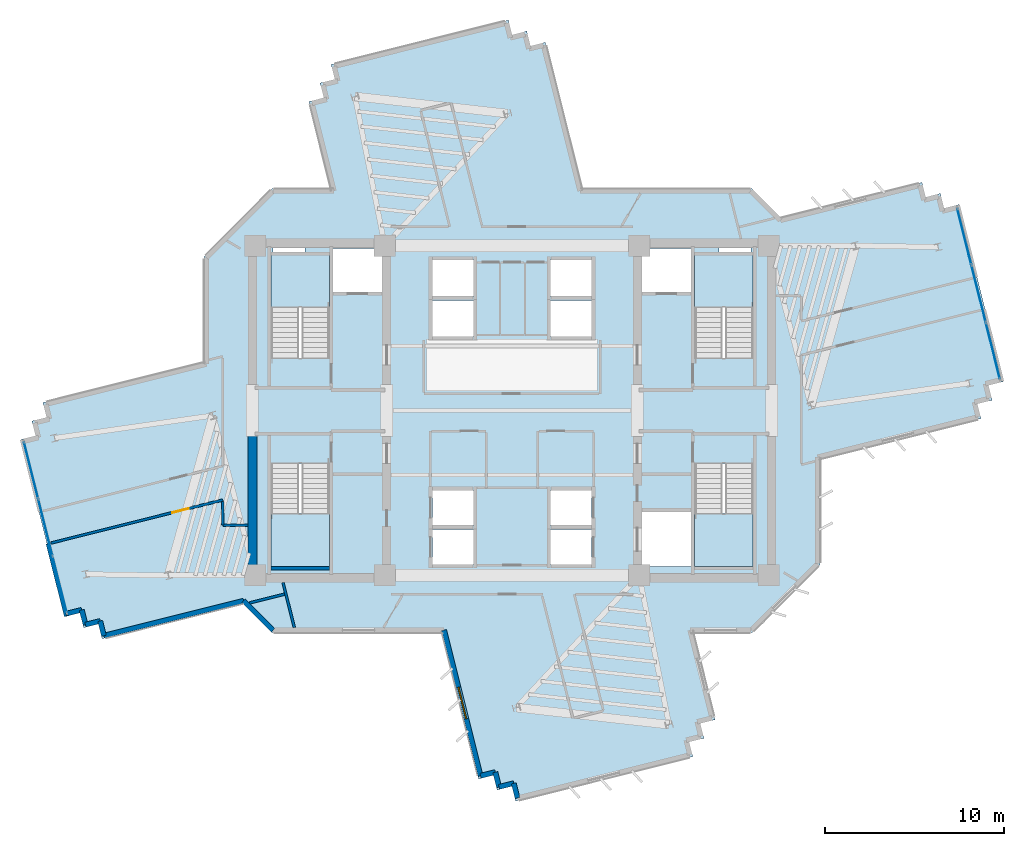
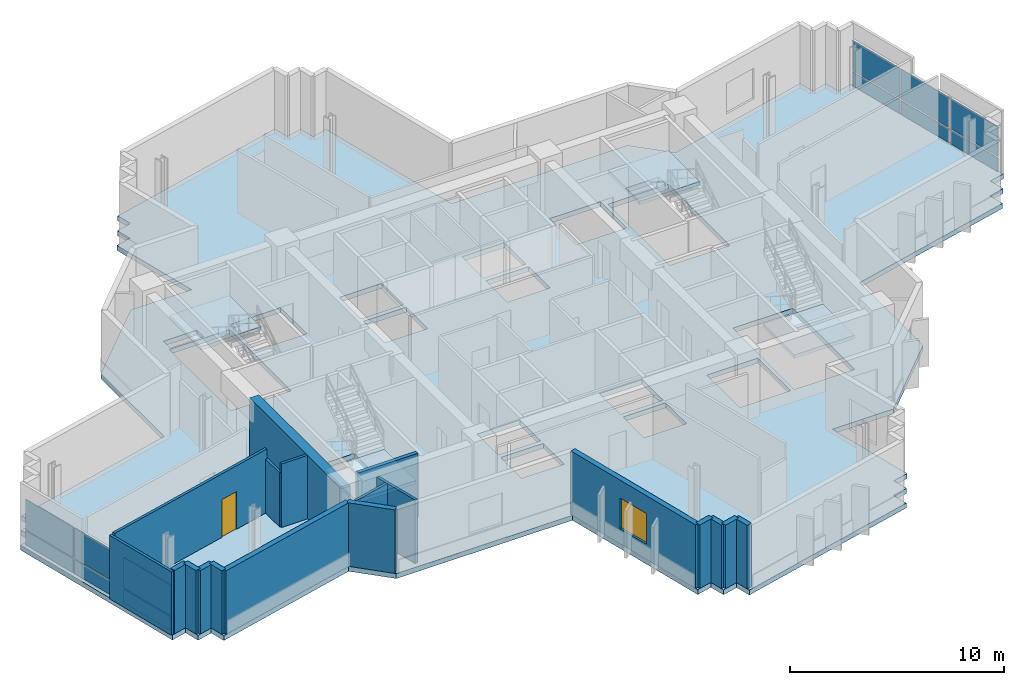
# One storey, part 5 of 13: 19 walls, 12 plates, 5 slabs, 1 door, 1 window, 2 openings, 6 elements without a shape of their own.
"""IFC4 building model written with IfcOpenShell, lengths in metres."""

from ifc_helpers import new_model, si_unit, direction, frame, frame_2d, origin, origin_2d, place, context, subcontext, project, spatial, polyline, rectangle, outline, extrude, source, transform, mapped, material, layer, layer_set, type_object, element, fill, aggregate, save


model = new_model("IFC4")

# Units and contexts
model_context = context("Model", 3, precision=1e-05, world=origin(), true_north=direction((0.0, 1.0)))
body_context = subcontext(model_context, "Body", "Model", "MODEL_VIEW")
ifc_project = project(units=[si_unit("LENGTHUNIT", "METRE"), si_unit("AREAUNIT", "SQUARE_METRE"), si_unit("VOLUMEUNIT", "CUBIC_METRE"), si_unit("PLANEANGLEUNIT", "RADIAN"), si_unit("MASSUNIT", "GRAM", prefix="KILO")], contexts=[model_context])

# Site, building, storey
site_placement = place(None, origin())
site = spatial("IfcSite", under=ifc_project, at=site_placement, CompositionType="ELEMENT")
building_placement = place(site_placement, origin())
building = spatial("IfcBuilding", under=site, at=building_placement, Name="Zahravan Cultural Tower", CompositionType="ELEMENT")
storey_placement = place(building_placement, frame((0.0, 0.0, 182.39990234375)))
storey = spatial("IfcBuildingStorey", under=building, at=storey_placement, Name="L42", CompositionType="ELEMENT", Elevation=182.39990234375)

# Slab
ifc_material_1 = material(Name="Concrete C45/55", Category="concrete")
ifc_layer_1 = layer(ifc_material_1, 0.280029296875)
ifc_layer_set_1 = layer_set([ifc_layer_1], Name="Concrete C45/55")
slab_type_1 = type_object("IfcSlabType", Name="SL-LIB-280", PredefinedType="FLOOR", material=ifc_layer_set_1)
slab_1_placement = place(storey_placement, frame((0.0, 0.0, -0.27978515625)))
element("IfcSlab", 1, at=slab_1_placement, inside=storey, type_object=slab_type_1, Name="L42 Structural Floor Slab", PredefinedType="FLOOR", context=body_context, shape_type="SweptSolid", body=[
    extrude(outline(polyline([(51.026611328125, 37.773193359375), (49.39990234375, 39.39990234375), (39.904541015625, 39.39990234375), (37.85888671875, 47.56787109375), (37.034423828125, 47.361328125), (36.827880859375, 48.185791015625), (36.00341796875, 47.979248046875), (35.796875, 48.803955078125), (25.902587890625, 46.325927734375), (26.10888671875, 45.50146484375), (25.284423828125, 45.294921875), (25.490966796875, 44.47021484375), (24.66650390625, 44.263916015625), (25.884521484375, 39.39990234375), (22.60009765625, 39.39990234375), (18.800048828125, 35.60009765625), (18.800048828125, 29.702392578125), (9.805908203125, 27.449951171875), (10.012451171875, 26.62548828125), (9.18798828125, 26.4189453125), (9.394287109375, 25.594482421875), (8.56982421875, 25.387939453125), (11.0478515625, 15.493408203125), (11.872314453125, 15.699951171875), (12.078857421875, 14.87548828125), (12.9033203125, 15.081787109375), (13.10986328125, 14.25732421875), (20.973388671875, 16.226806640625), (22.60009765625, 14.60009765625), (32.095458984375, 14.60009765625), (34.14111328125, 6.43212890625), (34.965576171875, 6.638671875), (35.172119140625, 5.814208984375), (35.99658203125, 6.020751953125), (36.203125, 5.196044921875), (46.097412109375, 7.674072265625), (45.89111328125, 8.49853515625), (46.715576171875, 8.705078125), (46.509033203125, 9.52978515625), (47.33349609375, 9.736083984375), (46.115478515625, 14.60009765625), (49.39990234375, 14.60009765625), (53.199951171875, 18.39990234375), (53.199951171875, 24.297607421875), (62.194091796875, 26.550048828125), (61.987548828125, 27.37451171875), (62.81201171875, 27.5810546875), (62.605712890625, 28.405517578125), (63.43017578125, 28.612060546875), (60.9521484375, 38.506591796875), (60.127685546875, 38.300048828125), (59.921142578125, 39.12451171875), (59.0966796875, 38.918212890625), (58.89013671875, 39.74267578125), (51.026611328125, 37.773193359375)]), holes=[polyline([(22.550048828125, 29.949951171875), (22.550048828125, 35.699951171875), (25.800048828125, 35.699951171875), (25.800048828125, 29.949951171875), (22.550048828125, 29.949951171875)]), polyline([(22.550048828125, 18.300048828125), (22.550048828125, 24.050048828125), (25.800048828125, 24.050048828125), (25.800048828125, 18.300048828125), (22.550048828125, 18.300048828125)]), polyline([(46.199951171875, 29.949951171875), (46.199951171875, 35.699951171875), (49.449951171875, 35.699951171875), (49.449951171875, 29.949951171875), (46.199951171875, 29.949951171875)]), polyline([(46.199951171875, 18.300048828125), (46.199951171875, 24.050048828125), (49.449951171875, 24.050048828125), (49.449951171875, 18.300048828125), (46.199951171875, 18.300048828125)]), polyline([(26.0, 33.60009765625), (26.0, 36.050048828125), (28.75, 36.050048828125), (28.75, 33.60009765625), (26.0, 33.60009765625)]), polyline([(43.25, 33.60009765625), (43.25, 36.050048828125), (46.0, 36.050048828125), (46.0, 33.60009765625), (43.25, 33.60009765625)]), polyline([(43.25, 18.300048828125), (43.25, 21.35009765625), (46.0, 21.35009765625), (46.0, 18.300048828125), (43.25, 18.300048828125)]), polyline([(31.550048828125, 33.39990234375), (31.550048828125, 35.39990234375), (33.85009765625, 35.39990234375), (33.85009765625, 33.39990234375), (31.550048828125, 33.39990234375)]), polyline([(31.550048828125, 31.14990234375), (31.550048828125, 33.14990234375), (33.85009765625, 33.14990234375), (33.85009765625, 31.14990234375), (31.550048828125, 31.14990234375)]), polyline([(38.14990234375, 33.39990234375), (38.14990234375, 35.39990234375), (40.449951171875, 35.39990234375), (40.449951171875, 33.39990234375), (38.14990234375, 33.39990234375)]), polyline([(38.14990234375, 31.14990234375), (38.14990234375, 33.14990234375), (40.449951171875, 33.14990234375), (40.449951171875, 31.14990234375), (38.14990234375, 31.14990234375)]), polyline([(31.550048828125, 20.60009765625), (31.550048828125, 22.550048828125), (33.85009765625, 22.550048828125), (33.85009765625, 20.60009765625), (31.550048828125, 20.60009765625)]), polyline([(31.550048828125, 18.39990234375), (31.550048828125, 20.35009765625), (33.85009765625, 20.35009765625), (33.85009765625, 18.39990234375), (31.550048828125, 18.39990234375)]), polyline([(38.14990234375, 20.60009765625), (38.14990234375, 22.550048828125), (40.449951171875, 22.550048828125), (40.449951171875, 20.60009765625), (38.14990234375, 20.60009765625)]), polyline([(38.14990234375, 18.39990234375), (38.14990234375, 20.35009765625), (40.449951171875, 20.35009765625), (40.449951171875, 18.39990234375), (38.14990234375, 18.39990234375)]), polyline([(22.64990234375, 35.800048828125), (22.64990234375, 36.419921875), (24.449951171875, 36.419921875), (24.449951171875, 35.800048828125), (22.64990234375, 35.800048828125)]), polyline([(47.550048828125, 35.800048828125), (47.550048828125, 36.419921875), (49.35009765625, 36.419921875), (49.35009765625, 35.800048828125), (47.550048828125, 35.800048828125)])]), origin(), (0.0, 0.0, 1.0), 0.27978515625),
])

# Stair, slab
stair_type = type_object("IfcStairType", Name="STR-DL-1550-390", PredefinedType="HALF_TURN_STAIR", material=ifc_material_1)
stair_1_placement = place(storey_placement, origin())
stair_1 = element("IfcStair", 2, at=stair_1_placement, inside=storey, type_object=stair_type, Name="L42 West Core North Exit Stair ST-W1", PredefinedType="HALF_TURN_STAIR")
ifc_layer_2 = layer(ifc_material_1, 0.199951171875)
ifc_layer_set_2 = layer_set([ifc_layer_2], Name="Concrete C45/55")
slab_type_2 = type_object("IfcSlabType", Name="SL-STAIR-LND200", PredefinedType="LANDING", material=ifc_layer_set_2)
slab_2_placement = place(storey_placement, frame((0.0, 0.0, 1.75)))
slab_2 = element("IfcSlab", 3, at=slab_2_placement, type_object=slab_type_2, Name="ST-W1 landing 1", PredefinedType="LANDING", context=body_context, shape_type="SweptSolid", body=[
    extrude(outline(polyline([(25.800048828125, 32.75), (25.800048828125, 35.699951171875), (22.550048828125, 35.699951171875), (22.550048828125, 32.75), (25.800048828125, 32.75)])), origin(), (0.0, 0.0, 1.0), 0.2001953125),
])
aggregate(stair_1, [slab_2])

stair_2_placement = place(storey_placement, origin())
stair_2 = element("IfcStair", 4, at=stair_2_placement, inside=storey, type_object=stair_type, Name="L42 West Core South Exit Stair ST-W2", PredefinedType="HALF_TURN_STAIR")
slab_3_placement = place(storey_placement, frame((0.0, 0.0, 1.75)))
slab_3 = element("IfcSlab", 5, at=slab_3_placement, type_object=slab_type_2, Name="ST-W2 landing 1", PredefinedType="LANDING", context=body_context, shape_type="SweptSolid", body=[
    extrude(outline(polyline([(22.550048828125, 21.25), (22.550048828125, 18.300048828125), (25.800048828125, 18.300048828125), (25.800048828125, 21.25), (22.550048828125, 21.25)])), origin(), (0.0, 0.0, 1.0), 0.2001953125),
])
aggregate(stair_2, [slab_3])

stair_3_placement = place(storey_placement, origin())
stair_3 = element("IfcStair", 6, at=stair_3_placement, inside=storey, type_object=stair_type, Name="L42 East Core North Exit Stair ST-E1", PredefinedType="HALF_TURN_STAIR")
slab_4_placement = place(storey_placement, frame((0.0, 0.0, 1.75)))
slab_4 = element("IfcSlab", 7, at=slab_4_placement, type_object=slab_type_2, Name="ST-E1 landing 1", PredefinedType="LANDING", context=body_context, shape_type="SweptSolid", body=[
    extrude(outline(polyline([(49.449951171875, 32.75), (49.449951171875, 35.699951171875), (46.199951171875, 35.699951171875), (46.199951171875, 32.75), (49.449951171875, 32.75)])), origin(), (0.0, 0.0, 1.0), 0.2001953125),
])
aggregate(stair_3, [slab_4])

stair_4_placement = place(storey_placement, origin())
stair_4 = element("IfcStair", 8, at=stair_4_placement, inside=storey, type_object=stair_type, Name="L42 East Core South Exit Stair ST-E2", PredefinedType="HALF_TURN_STAIR")
slab_5_placement = place(storey_placement, frame((0.0, 0.0, 1.75)))
slab_5 = element("IfcSlab", 9, at=slab_5_placement, type_object=slab_type_2, Name="ST-E2 landing 1", PredefinedType="LANDING", context=body_context, shape_type="SweptSolid", body=[
    extrude(outline(polyline([(46.199951171875, 21.25), (46.199951171875, 18.300048828125), (49.449951171875, 18.300048828125), (49.449951171875, 21.25), (46.199951171875, 21.25)])), origin(), (0.0, 0.0, 1.0), 0.2001953125),
])
aggregate(stair_4, [slab_5])

# Curtain wall, plates
ifc_material_2 = material(Name="Anodised bronze-aluminium mullion", Category="aluminium")
ifc_layer_3 = layer(ifc_material_2, 0.199951171875)
ifc_layer_set_3 = layer_set([ifc_layer_3], Name="Anodised bronze-aluminium mullion")
curtain_wall_type_1 = type_object("IfcCurtainWallType", Name="CW-SYS-2", PredefinedType="USERDEFINED", material=ifc_layer_set_3)
curtain_wall_1_placement = place(storey_placement, origin())
curtain_wall_1 = element("IfcCurtainWall", 10, at=curtain_wall_1_placement, inside=storey, type_object=curtain_wall_type_1, Name="L42 Recessed Curtain Wall CW-2.1", ObjectType="RECESSED GLAZING", PredefinedType="USERDEFINED")
ifc_material_3 = material(Name="Low-E solar-control double glazing", Category="glass")
ifc_layer_4 = layer(ifc_material_3, 0.030029296875)
ifc_layer_set_4 = layer_set([ifc_layer_4], Name="Low-E solar-control double glazing")
plate_type_1 = type_object("IfcPlateType", Name="CWP-CW-2", PredefinedType="CURTAIN_PANEL", material=ifc_layer_set_4)
shared_shape_1 = source(origin(), body_context, "Body", "SweptSolid", [
    extrude(rectangle(XDim=3.194091796875, YDim=0.030029296875, at=origin_2d()), origin(), (0.0, 0.0, 1.0), 0.78759765625),
])
plate_1_placement = place(storey_placement, frame((61.256591796875, 36.714599609375, 0.074951171875), z_axis=(0.0, 0.0, 1.0), x_axis=(0.242943573269, -0.970040421945, 0.0)))
plate_1 = element("IfcPlate", 11, at=plate_1_placement, type_object=plate_type_1, Name="CW-2 panel 1.1", PredefinedType="CURTAIN_PANEL", context=body_context, shape_type="MappedRepresentation", body=[
    mapped(shared_shape_1, transform((0.0, 0.0, 0.0), x_axis=(1.0, 0.0, 0.0), y_axis=(0.0, 1.0, 0.0), z_axis=(0.0, 0.0, 1.0), scale=1.0)),
])
plate_2_placement = place(storey_placement, frame((62.85400390625, 30.3359375, 0.074951171875), z_axis=(0.0, 0.0, 1.0), x_axis=(0.242943573269, -0.970040421945, 0.0)))
plate_2 = element("IfcPlate", 12, at=plate_2_placement, type_object=plate_type_1, Name="CW-2 panel 3.1", PredefinedType="CURTAIN_PANEL", context=body_context, shape_type="MappedRepresentation", body=[
    mapped(shared_shape_1, transform((0.0, 0.0, 0.0), x_axis=(1.0, 0.0, 0.0), y_axis=(0.0, 1.0, 0.0), z_axis=(0.0, 0.0, 1.0), scale=1.0)),
])
shared_shape_2 = source(origin(), body_context, "Body", "SweptSolid", [
    extrude(rectangle(XDim=3.231689453125, YDim=0.030029296875, at=origin_2d()), origin(), (0.0, 0.0, 1.0), 0.78759765625),
])
plate_3_placement = place(storey_placement, frame((62.055419921875, 33.525390625, 0.074951171875), z_axis=(0.0, 0.0, 1.0), x_axis=(0.242943573269, -0.970040421945, 0.0)))
plate_3 = element("IfcPlate", 13, at=plate_3_placement, type_object=plate_type_1, Name="CW-2 panel 2.1", PredefinedType="CURTAIN_PANEL", context=body_context, shape_type="MappedRepresentation", body=[
    mapped(shared_shape_2, transform((0.0, 0.0, 0.0), x_axis=(1.0, 0.0, 0.0), y_axis=(0.0, 1.0, 0.0), z_axis=(0.0, 0.0, 1.0), scale=1.0)),
])
shared_shape_3 = source(origin(), body_context, "Body", "SweptSolid", [
    extrude(rectangle(XDim=3.194091796875, YDim=0.030029296875, at=origin_2d()), origin(), (0.0, 0.0, 1.0), 1.7275390625),
])
plate_4_placement = place(storey_placement, frame((61.256591796875, 36.714599609375, 0.9375), z_axis=(0.0, 0.0, 1.0), x_axis=(0.242943573269, -0.970040421945, 0.0)))
plate_4 = element("IfcPlate", 14, at=plate_4_placement, type_object=plate_type_1, Name="CW-2 panel 1.2", PredefinedType="CURTAIN_PANEL", context=body_context, shape_type="MappedRepresentation", body=[
    mapped(shared_shape_3, transform((0.0, 0.0, 0.0), x_axis=(1.0, 0.0, 0.0), y_axis=(0.0, 1.0, 0.0), z_axis=(0.0, 0.0, 1.0), scale=1.0)),
])
plate_5_placement = place(storey_placement, frame((62.85400390625, 30.3359375, 0.9375), z_axis=(0.0, 0.0, 1.0), x_axis=(0.242943573269, -0.970040421945, 0.0)))
plate_5 = element("IfcPlate", 15, at=plate_5_placement, type_object=plate_type_1, Name="CW-2 panel 3.2", PredefinedType="CURTAIN_PANEL", context=body_context, shape_type="MappedRepresentation", body=[
    mapped(shared_shape_3, transform((0.0, 0.0, 0.0), x_axis=(1.0, 0.0, 0.0), y_axis=(0.0, 1.0, 0.0), z_axis=(0.0, 0.0, 1.0), scale=1.0)),
])
shared_shape_4 = source(origin(), body_context, "Body", "SweptSolid", [
    extrude(rectangle(XDim=3.231689453125, YDim=0.030029296875, at=origin_2d()), origin(), (0.0, 0.0, 1.0), 1.7275390625),
])
plate_6_placement = place(storey_placement, frame((62.055419921875, 33.525390625, 0.9375), z_axis=(0.0, 0.0, 1.0), x_axis=(0.242943573269, -0.970040421945, 0.0)))
plate_6 = element("IfcPlate", 16, at=plate_6_placement, type_object=plate_type_1, Name="CW-2 panel 2.2", PredefinedType="CURTAIN_PANEL", context=body_context, shape_type="MappedRepresentation", body=[
    mapped(shared_shape_4, transform((0.0, 0.0, 0.0), x_axis=(1.0, 0.0, 0.0), y_axis=(0.0, 1.0, 0.0), z_axis=(0.0, 0.0, 1.0), scale=1.0)),
])
aggregate(curtain_wall_1, [plate_1, plate_4, plate_3, plate_6, plate_2, plate_5])

ifc_layer_5 = layer(ifc_material_2, 0.179931640625)
ifc_layer_set_5 = layer_set([ifc_layer_5], Name="Anodised bronze-aluminium mullion")
curtain_wall_type_2 = type_object("IfcCurtainWallType", Name="CW-SYS-3", PredefinedType="USERDEFINED", material=ifc_layer_set_5)
curtain_wall_2_placement = place(storey_placement, origin())
curtain_wall_2 = element("IfcCurtainWall", 17, at=curtain_wall_2_placement, inside=storey, type_object=curtain_wall_type_2, Name="L42 Recessed Curtain Wall CW-3.2", ObjectType="RECESSED GLAZING", PredefinedType="USERDEFINED")
ifc_layer_6 = layer(ifc_material_3, 0.028076171875)
ifc_layer_set_6 = layer_set([ifc_layer_6], Name="Low-E solar-control double glazing")
plate_type_2 = type_object("IfcPlateType", Name="CWP-CW-3", PredefinedType="CURTAIN_PANEL", material=ifc_layer_set_6)
shared_shape_5 = source(origin(), body_context, "Body", "SweptSolid", [
    extrude(rectangle(XDim=3.20166015625, YDim=0.028076171875, at=origin_2d()), origin(), (0.0, 0.0, 1.0), 0.794921875),
])
plate_7_placement = place(storey_placement, frame((10.743896484375, 17.2841796875, 0.070068359375), z_axis=(0.0, 0.0, 1.0), x_axis=(-0.242943573269, 0.970040421945, 0.0)))
plate_7 = element("IfcPlate", 18, at=plate_7_placement, type_object=plate_type_2, Name="CW-3 panel 1.1", PredefinedType="CURTAIN_PANEL", context=body_context, shape_type="MappedRepresentation", body=[
    mapped(shared_shape_5, transform((0.0, 0.0, 0.0), x_axis=(1.0, 0.0, 0.0), y_axis=(0.0, 1.0, 0.0), z_axis=(0.0, 0.0, 1.0), scale=1.0)),
])
plate_8_placement = place(storey_placement, frame((9.1455078125, 23.665283203125, 0.070068359375), z_axis=(0.0, 0.0, 1.0), x_axis=(-0.242943573269, 0.970040421945, 0.0)))
plate_8 = element("IfcPlate", 19, at=plate_8_placement, type_object=plate_type_2, Name="CW-3 panel 3.1", PredefinedType="CURTAIN_PANEL", context=body_context, shape_type="MappedRepresentation", body=[
    mapped(shared_shape_5, transform((0.0, 0.0, 0.0), x_axis=(1.0, 0.0, 0.0), y_axis=(0.0, 1.0, 0.0), z_axis=(0.0, 0.0, 1.0), scale=1.0)),
])
shared_shape_6 = source(origin(), body_context, "Body", "SweptSolid", [
    extrude(rectangle(XDim=3.20166015625, YDim=0.028076171875, at=origin_2d()), origin(), (0.0, 0.0, 1.0), 1.735107421875),
])
plate_9_placement = place(storey_placement, frame((10.743896484375, 17.2841796875, 0.93505859375), z_axis=(0.0, 0.0, 1.0), x_axis=(-0.242943573269, 0.970040421945, 0.0)))
plate_9 = element("IfcPlate", 20, at=plate_9_placement, type_object=plate_type_2, Name="CW-3 panel 1.2", PredefinedType="CURTAIN_PANEL", context=body_context, shape_type="MappedRepresentation", body=[
    mapped(shared_shape_6, transform((0.0, 0.0, 0.0), x_axis=(1.0, 0.0, 0.0), y_axis=(0.0, 1.0, 0.0), z_axis=(0.0, 0.0, 1.0), scale=1.0)),
])
plate_10_placement = place(storey_placement, frame((9.1455078125, 23.665283203125, 0.93505859375), z_axis=(0.0, 0.0, 1.0), x_axis=(-0.242943573269, 0.970040421945, 0.0)))
plate_10 = element("IfcPlate", 21, at=plate_10_placement, type_object=plate_type_2, Name="CW-3 panel 3.2", PredefinedType="CURTAIN_PANEL", context=body_context, shape_type="MappedRepresentation", body=[
    mapped(shared_shape_6, transform((0.0, 0.0, 0.0), x_axis=(1.0, 0.0, 0.0), y_axis=(0.0, 1.0, 0.0), z_axis=(0.0, 0.0, 1.0), scale=1.0)),
])
shared_shape_7 = source(origin(), body_context, "Body", "SweptSolid", [
    extrude(rectangle(XDim=3.236572265625, YDim=0.028076171875, at=origin_2d()), origin(), (0.0, 0.0, 1.0), 0.794921875),
])
plate_11_placement = place(storey_placement, frame((9.944580078125, 20.474609375, 0.070068359375), z_axis=(0.0, 0.0, 1.0), x_axis=(-0.242943573269, 0.970040421945, 0.0)))
plate_11 = element("IfcPlate", 22, at=plate_11_placement, type_object=plate_type_2, Name="CW-3 panel 2.1", PredefinedType="CURTAIN_PANEL", context=body_context, shape_type="MappedRepresentation", body=[
    mapped(shared_shape_7, transform((0.0, 0.0, 0.0), x_axis=(1.0, 0.0, 0.0), y_axis=(0.0, 1.0, 0.0), z_axis=(0.0, 0.0, 1.0), scale=1.0)),
])
shared_shape_8 = source(origin(), body_context, "Body", "SweptSolid", [
    extrude(rectangle(XDim=3.236572265625, YDim=0.028076171875, at=origin_2d()), origin(), (0.0, 0.0, 1.0), 1.735107421875),
])
plate_12_placement = place(storey_placement, frame((9.944580078125, 20.474609375, 0.93505859375), z_axis=(0.0, 0.0, 1.0), x_axis=(-0.242943573269, 0.970040421945, 0.0)))
plate_12 = element("IfcPlate", 23, at=plate_12_placement, type_object=plate_type_2, Name="CW-3 panel 2.2", PredefinedType="CURTAIN_PANEL", context=body_context, shape_type="MappedRepresentation", body=[
    mapped(shared_shape_8, transform((0.0, 0.0, 0.0), x_axis=(1.0, 0.0, 0.0), y_axis=(0.0, 1.0, 0.0), z_axis=(0.0, 0.0, 1.0), scale=1.0)),
])
aggregate(curtain_wall_2, [plate_7, plate_9, plate_11, plate_12, plate_8, plate_10])

# Wall, opening, window
ifc_material_4 = material(Name="Precast concrete C40/50", Category="concrete")
ifc_layer_7 = layer(ifc_material_4, 0.280029296875)
ifc_layer_set_7 = layer_set([ifc_layer_7], Name="Precast concrete C40/50")
wall_type_1 = type_object("IfcWallType", Name="EW-TC-280", PredefinedType="SOLIDWALL", material=ifc_layer_set_7)
wall_1_placement = place(storey_placement, frame((34.242919921875, 6.60205078125, 0.0), z_axis=(0.0, 0.0, 1.0), x_axis=(-0.242939601766, 0.970041416587, 0.0)))
wall_1 = element("IfcWall", 24, at=wall_1_placement, inside=storey, type_object=wall_type_1, Name="L42 Exterior Masonry Frame Wall 24", PredefinedType="SOLIDWALL", context=body_context, shape_type="SweptSolid", body=[
    extrude(rectangle(XDim=8.38916015625, YDim=0.280029296875, at=frame_2d((4.194580078125, 0.0))), origin(), (0.0, 0.0, 1.0), 3.6201171875),
])
opening_1_placement = place(wall_1_placement, frame((3.294921875, 0.0, 0.85009765625)))
opening_1 = element("IfcOpeningElement", 25, at=opening_1_placement, cuts=wall_1, Name="Opening WN-02", PredefinedType="OPENING", context=body_context, shape_type="SweptSolid", body=[
    extrude(rectangle(XDim=1.800048828125, YDim=1.75, at=frame_2d((0.89990234375, 0.875))), frame((0.0, 0.14990234375, 0.0), z_axis=(0.0, -1.0, 0.0), x_axis=(1.0, 0.0, 0.0)), (0.0, 0.0, 1.0), 0.300048828125),
])
window_type = type_object("IfcWindowType", Name="WN-REC-1800X1750", PartitioningType="DOUBLE_PANEL_VERTICAL", PredefinedType="WINDOW", material=ifc_material_3)
shared_shape_9 = source(origin(), body_context, "Body", "SweptSolid", [
    extrude(rectangle(XDim=1.800048828125, YDim=1.75, at=frame_2d((0.89990234375, 0.875))), frame((0.0, 0.030029296875, 0.0), z_axis=(0.0, -1.0, 0.0), x_axis=(1.0, 0.0, 0.0)), (0.0, 0.0, 1.0), 0.06005859375),
])
window_placement = place(opening_1_placement, origin())
window = element("IfcWindow", 26, at=window_placement, inside=storey, type_object=window_type, Name="L42 Recessed Solar Window 07", OverallHeight=1.75, OverallWidth=1.800048828125, PartitioningType="DOUBLE_PANEL_VERTICAL", PredefinedType="WINDOW", context=body_context, shape_type="MappedRepresentation", body=[
    mapped(shared_shape_9, transform((0.0, 0.0, 0.0), x_axis=(1.0, 0.0, 0.0), y_axis=(0.0, 1.0, 0.0), z_axis=(0.0, 0.0, 1.0), scale=1.0)),
])
fill(opening_1, window)

# Wall, opening, door
ifc_material_5 = material(Name="Gypsum plasterboard partition")
ifc_layer_8 = layer(ifc_material_5, 0.139892578125)
ifc_layer_set_8 = layer_set([ifc_layer_8], Name="Gypsum plasterboard partition")
wall_type_2 = type_object("IfcWallType", Name="W-PART-140", PredefinedType="PARTITIONING", material=ifc_layer_set_8)
wall_2_placement = place(storey_placement, frame((10.260498046875, 19.60546875, 0.0), z_axis=(0.0, 0.0, 1.0), x_axis=(0.970042179759, 0.242936554451, 0.0)))
wall_2 = element("IfcWall", 27, at=wall_2_placement, inside=storey, type_object=wall_type_2, Name="L42 Interior Wall 087", PredefinedType="PARTITIONING", context=body_context, shape_type="SweptSolid", body=[
    extrude(rectangle(XDim=9.8857421875, YDim=0.139892578125, at=frame_2d((4.94287109375, 0.0))), origin(), (0.0, 0.0, 1.0), 3.6201171875),
])
opening_2_placement = place(wall_2_placement, frame((6.969970703125, 0.0, 0.0)))
opening_2 = element("IfcOpeningElement", 28, at=opening_2_placement, cuts=wall_2, Name="Opening D-L42-22", PredefinedType="OPENING", context=body_context, shape_type="SweptSolid", body=[
    extrude(rectangle(XDim=0.949951171875, YDim=2.14990234375, at=frame_2d((0.47509765625, 1.074951171875))), frame((0.0, 0.079833984375, 0.0), z_axis=(0.0, -1.0, 0.0), x_axis=(1.0, 0.0, 0.0)), (0.0, 0.0, 1.0), 0.159912109375),
])
door_type = type_object("IfcDoorType", Name="DR-ROOM-950", OperationType="NOTDEFINED", PredefinedType="DOOR", material=ifc_material_2)
shared_shape_10 = source(origin(), body_context, "Body", "SweptSolid", [
    extrude(rectangle(XDim=0.949951171875, YDim=2.14990234375, at=frame_2d((0.47509765625, 1.074951171875))), frame((0.0, 0.02490234375, 0.0), z_axis=(0.0, -1.0, 0.0), x_axis=(1.0, 0.0, 0.0)), (0.0, 0.0, 1.0), 0.050048828125),
])
door_placement = place(opening_2_placement, origin())
door = element("IfcDoor", 29, at=door_placement, inside=storey, type_object=door_type, Name="L42 Door D-L42-22", OperationType="SINGLE_SWING_LEFT", OverallHeight=2.14990234375, OverallWidth=0.949951171875, PredefinedType="DOOR", context=body_context, shape_type="MappedRepresentation", body=[
    mapped(shared_shape_10, transform((0.0, 0.0, 0.0), x_axis=(1.0, 0.0, 0.0), y_axis=(0.0, 1.0, 0.0), z_axis=(0.0, 0.0, 1.0), scale=1.0)),
])
fill(opening_2, door)

# Walls
ifc_material_6 = material(Name="Concrete C60/75", Category="concrete")
ifc_layer_9 = layer(ifc_material_6, 0.5)
ifc_layer_set_9 = layer_set([ifc_layer_9], Name="Concrete C60/75")
wall_type_3 = type_object("IfcWallType", Name="CW-SHEAR-500-C60", PredefinedType="SHEAR", material=ifc_layer_set_9)
shared_shape_11 = source(origin(), body_context, "Body", "SweptSolid", [
    extrude(rectangle(XDim=8.550048828125, YDim=0.5, at=frame_2d((4.27490234375, 0.0))), origin(), (0.0, 0.0, 1.0), 3.6201171875),
])
wall_3_placement = place(storey_placement, frame((21.5, 17.39990234375, 0.0), z_axis=(0.0, 0.0, 1.0), x_axis=(0.0, 1.0, 0.0)))
element("IfcWall", 30, at=wall_3_placement, inside=storey, type_object=wall_type_3, Name="L42 Core Shear Wall CW-W-WS-L42", PredefinedType="SHEAR", context=body_context, shape_type="MappedRepresentation", body=[
    mapped(shared_shape_11, transform((0.0, 0.0, 0.0), x_axis=(1.0, 0.0, 0.0), y_axis=(0.0, 1.0, 0.0), z_axis=(0.0, 0.0, 1.0), scale=1.0)),
])
shared_shape_12 = source(origin(), body_context, "Body", "SweptSolid", [
    extrude(rectangle(XDim=0.85009765625, YDim=0.280029296875, at=frame_2d((0.425048828125, 0.0))), origin(), (0.0, 0.0, 1.0), 3.6201171875),
])
for number, where, z_axis, x_axis, name in (
    (31, (36.098388671875, 6.1904296875, 0.0), (0.0, 0.0, 1.0), (-0.970041063326, -0.242941012307, 0.0), "L42 Exterior Masonry Frame Wall 21"),
    (32, (35.273681640625, 5.98388671875, 0.0), (0.0, 0.0, 1.0), (-0.242670768255, 0.970108704339, 0.0), "L42 Exterior Masonry Frame Wall 22"),
    (33, (12.1806640625, 15.045166015625, 0.0), (0.0, 0.0, 1.0), (-0.242941012307, 0.970041063326, 0.0), "L42 Exterior Masonry Frame Wall 30"),
):
    element("IfcWall", number, at=place(storey_placement, frame(where, z_axis=z_axis, x_axis=x_axis)), inside=storey, type_object=wall_type_1, Name=name, PredefinedType="SOLIDWALL", context=body_context, shape_type="MappedRepresentation", body=[
        mapped(shared_shape_12, transform((0.0, 0.0, 0.0), x_axis=(1.0, 0.0, 0.0), y_axis=(0.0, 1.0, 0.0), z_axis=(0.0, 0.0, 1.0), scale=1.0)),
    ])
shared_shape_13 = source(origin(), body_context, "Body", "SweptSolid", [
    extrude(rectangle(XDim=0.849853515625, YDim=0.280029296875, at=frame_2d((0.4248046875, 0.0))), origin(), (0.0, 0.0, 1.0), 3.6201171875),
])
for number, where, z_axis, x_axis, name in (
    (34, (36.304931640625, 5.365966796875, 0.0), (0.0, 0.0, 1.0), (-0.243008704507, 0.970024107708, 0.0), "L42 Exterior Masonry Frame Wall 20"),
    (35, (35.0673828125, 6.80859375, 0.0), (0.0, 0.0, 1.0), (-0.970024107708, -0.243008704507, 0.0), "L42 Exterior Masonry Frame Wall 23"),
    (36, (13.211669921875, 14.42724609375, 0.0), (0.0, 0.0, 1.0), (-0.243008704507, 0.970024107708, 0.0), "L42 Exterior Masonry Frame Wall 28"),
    (37, (13.005126953125, 15.251708984375, 0.0), (0.0, 0.0, 1.0), (-0.970024107708, -0.243008704507, 0.0), "L42 Exterior Masonry Frame Wall 29"),
    (38, (11.97412109375, 15.869873046875, 0.0), (0.0, 0.0, 1.0), (-0.970024107708, -0.243008704507, 0.0), "L42 Exterior Masonry Frame Wall 31"),
):
    element("IfcWall", number, at=place(storey_placement, frame(where, z_axis=z_axis, x_axis=x_axis)), inside=storey, type_object=wall_type_1, Name=name, PredefinedType="SOLIDWALL", context=body_context, shape_type="MappedRepresentation", body=[
        mapped(shared_shape_13, transform((0.0, 0.0, 0.0), x_axis=(1.0, 0.0, 0.0), y_axis=(0.0, 1.0, 0.0), z_axis=(0.0, 0.0, 1.0), scale=1.0)),
    ])
shared_shape_14 = source(origin(), body_context, "Body", "SweptSolid", [
    extrude(rectangle(XDim=2.322021484375, YDim=0.280029296875, at=frame_2d((1.1611328125, 0.0))), origin(), (0.0, 0.0, 1.0), 3.6201171875),
])
wall_4_placement = place(storey_placement, frame((22.657958984375, 14.739990234375, 0.0), z_axis=(0.0, 0.0, 1.0), x_axis=(-0.707106781187, 0.707106781187, 0.0)))
element("IfcWall", 39, at=wall_4_placement, inside=storey, type_object=wall_type_1, Name="L42 Exterior Masonry Frame Wall 26", PredefinedType="SOLIDWALL", context=body_context, shape_type="MappedRepresentation", body=[
    mapped(shared_shape_14, transform((0.0, 0.0, 0.0), x_axis=(1.0, 0.0, 0.0), y_axis=(0.0, 1.0, 0.0), z_axis=(0.0, 0.0, 1.0), scale=1.0)),
])
shared_shape_15 = source(origin(), body_context, "Body", "SweptSolid", [
    extrude(rectangle(XDim=8.04541015625, YDim=0.280029296875, at=frame_2d((4.022705078125, 0.0))), origin(), (0.0, 0.0, 1.0), 3.6201171875),
])
wall_5_placement = place(storey_placement, frame((21.01611328125, 16.3818359375, 0.0), z_axis=(0.0, 0.0, 1.0), x_axis=(-0.970040669564, -0.242942584557, 0.0)))
element("IfcWall", 40, at=wall_5_placement, inside=storey, type_object=wall_type_1, Name="L42 Exterior Masonry Frame Wall 27", PredefinedType="SOLIDWALL", context=body_context, shape_type="MappedRepresentation", body=[
    mapped(shared_shape_15, transform((0.0, 0.0, 0.0), x_axis=(1.0, 0.0, 0.0), y_axis=(0.0, 1.0, 0.0), z_axis=(0.0, 0.0, 1.0), scale=1.0)),
])
ifc_layer_10 = layer(ifc_material_1, 0.199951171875)
ifc_layer_set_10 = layer_set([ifc_layer_10], Name="Concrete C45/55")
wall_type_4 = type_object("IfcWallType", Name="W-SHAFT-200", PredefinedType="SOLIDWALL", material=ifc_layer_set_10)
shared_shape_16 = source(origin(), body_context, "Body", "SweptSolid", [
    extrude(rectangle(XDim=3.25, YDim=0.199951171875, at=frame_2d((1.625, 0.0))), origin(), (0.0, 0.0, 1.0), 3.6201171875),
])
wall_6_placement = place(storey_placement, frame((22.550048828125, 18.199951171875, 0.0), z_axis=(0.0, 0.0, 1.0), x_axis=(1.0, 0.0, 0.0)))
element("IfcWall", 41, at=wall_6_placement, inside=storey, type_object=wall_type_4, Name="L42 Interior Wall 019", PredefinedType="SOLIDWALL", context=body_context, shape_type="MappedRepresentation", body=[
    mapped(shared_shape_16, transform((0.0, 0.0, 0.0), x_axis=(1.0, 0.0, 0.0), y_axis=(0.0, 1.0, 0.0), z_axis=(0.0, 0.0, 1.0), scale=1.0)),
])
shared_shape_17 = source(origin(), body_context, "Body", "SweptSolid", [
    extrude(rectangle(XDim=4.16015625, YDim=0.139892578125, at=frame_2d((2.080078125, 0.0))), origin(), (0.0, 0.0, 1.0), 3.6201171875),
])
wall_7_placement = place(storey_placement, frame((11.0625, 15.517578125, 0.0), z_axis=(0.0, 0.0, 1.0), x_axis=(-0.242963670411, 0.970035388458, 0.0)))
element("IfcWall", 42, at=wall_7_placement, inside=storey, type_object=wall_type_2, Name="L42 Interior Wall 086", PredefinedType="PARTITIONING", context=body_context, shape_type="MappedRepresentation", body=[
    mapped(shared_shape_17, transform((0.0, 0.0, 0.0), x_axis=(1.0, 0.0, 0.0), y_axis=(0.0, 1.0, 0.0), z_axis=(0.0, 0.0, 1.0), scale=1.0)),
])
shared_shape_18 = source(origin(), body_context, "Body", "SweptSolid", [
    extrude(rectangle(XDim=1.39404296875, YDim=0.139892578125, at=frame_2d((0.697021484375, 0.0))), origin(), (0.0, 0.0, 1.0), 3.6201171875),
])
wall_8_placement = place(storey_placement, frame((19.85107421875, 20.60107421875, 0.0), z_axis=(0.0, 0.0, 1.0), x_axis=(0.999999754632, -0.000700525222, 0.0)))
element("IfcWall", 43, at=wall_8_placement, inside=storey, type_object=wall_type_2, Name="L42 Interior Wall 084", PredefinedType="PARTITIONING", context=body_context, shape_type="MappedRepresentation", body=[
    mapped(shared_shape_18, transform((0.0, 0.0, 0.0), x_axis=(1.0, 0.0, 0.0), y_axis=(0.0, 1.0, 0.0), z_axis=(0.0, 0.0, 1.0), scale=1.0)),
])
shared_shape_19 = source(origin(), body_context, "Body", "SweptSolid", [
    extrude(rectangle(XDim=2.587646484375, YDim=0.139892578125, at=frame_2d((1.2939453125, 0.0))), origin(), (0.0, 0.0, 1.0), 3.6201171875),
])
wall_9_placement = place(storey_placement, frame((23.843017578125, 14.885009765625, 0.0), z_axis=(0.0, 0.0, 1.0), x_axis=(-0.242957412811, 0.97003695577, 0.0)))
element("IfcWall", 44, at=wall_9_placement, inside=storey, type_object=wall_type_2, Name="L42 Interior Wall 073", PredefinedType="PARTITIONING", context=body_context, shape_type="MappedRepresentation", body=[
    mapped(shared_shape_19, transform((0.0, 0.0, 0.0), x_axis=(1.0, 0.0, 0.0), y_axis=(0.0, 1.0, 0.0), z_axis=(0.0, 0.0, 1.0), scale=1.0)),
])
shared_shape_20 = source(origin(), body_context, "Body", "SweptSolid", [
    extrude(rectangle(XDim=2.014404296875, YDim=0.139892578125, at=frame_2d((1.00732421875, 0.0))), origin(), (0.0, 0.0, 1.0), 3.6201171875),
])
wall_10_placement = place(storey_placement, frame((23.29931640625, 16.747314453125, 0.0), z_axis=(0.0, 0.0, 1.0), x_axis=(-0.970056889313, -0.242877811867, 0.0)))
element("IfcWall", 45, at=wall_10_placement, inside=storey, type_object=wall_type_2, Name="L42 Interior Wall 085", PredefinedType="PARTITIONING", context=body_context, shape_type="MappedRepresentation", body=[
    mapped(shared_shape_20, transform((0.0, 0.0, 0.0), x_axis=(1.0, 0.0, 0.0), y_axis=(0.0, 1.0, 0.0), z_axis=(0.0, 0.0, 1.0), scale=1.0)),
])
shared_shape_21 = source(origin(), body_context, "Body", "SweptSolid", [
    extrude(rectangle(XDim=1.32861328125, YDim=0.139892578125, at=frame_2d((0.664306640625, 0.0))), origin(), (0.0, 0.0, 1.0), 3.0791015625),
])
wall_11_placement = place(storey_placement, frame((19.85009765625, 21.9296875, 0.0), z_axis=(0.0, 0.0, 1.0), x_axis=(0.00073502369, -0.99999972987, 0.0)))
element("IfcWall", 46, at=wall_11_placement, inside=storey, type_object=wall_type_2, Name="L42 Interior Wall 088", PredefinedType="PARTITIONING", context=body_context, shape_type="MappedRepresentation", body=[
    mapped(shared_shape_21, transform((0.0, 0.0, 0.0), x_axis=(1.0, 0.0, 0.0), y_axis=(0.0, 1.0, 0.0), z_axis=(0.0, 0.0, 1.0), scale=1.0)),
])

save(model, "model.ifc")
